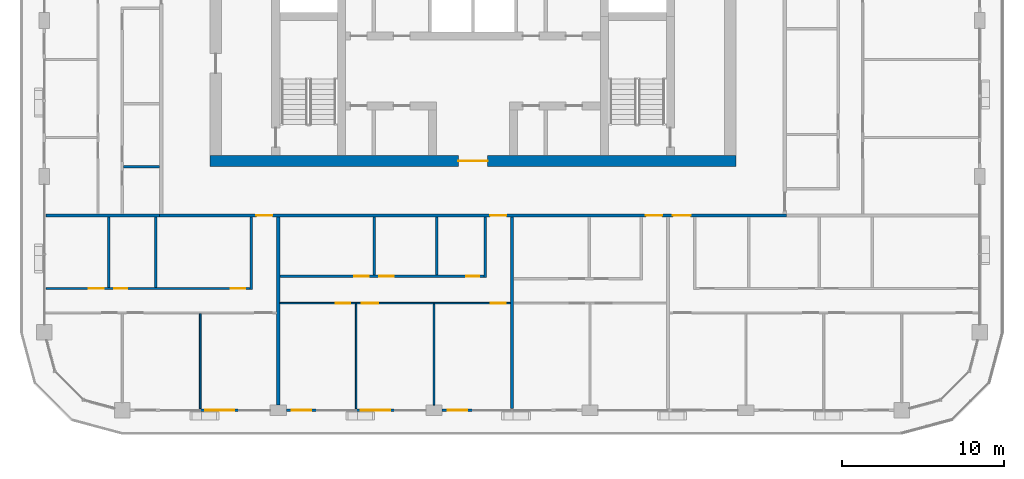
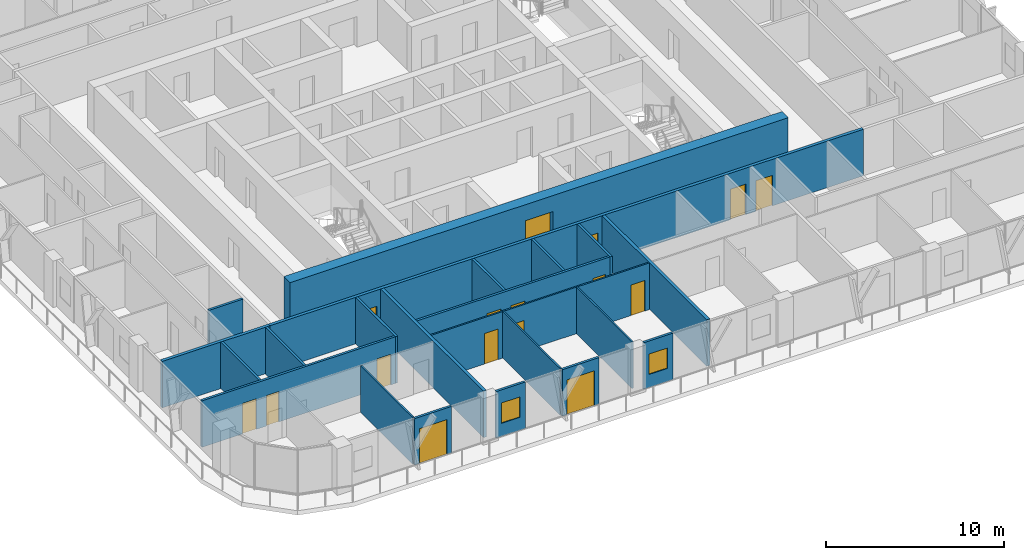
# One storey, part 9 of 22: 22 walls, 16 doors, 2 windows, 18 openings.
"""IFC4 building model written with IfcOpenShell, lengths in metres."""

import ifcopenshell
import ifcopenshell.guid

model = None  # the IFC model being written
_history = None  # IfcOwnerHistory: only IFC2X3 demands one
_inside = {}  # id of a spatial element -> (the spatial element, [elements in it])
_under = {}  # id of a project, library or spatial element -> (it, [spatial elements below it])
_declared = {}  # id of a project -> (the project, [libraries it declares])
_typed = {}  # id of a type object -> (the type object, [elements of that type])
_made_of = {}  # id of a material, layer set ... -> (it, [elements and type objects made of it])


def new_model(schema):
    """Start an empty IFC model of exactly this schema.

    Asked for "IFC4X3", IfcOpenShell would pick the latest addendum, in which some entities
    have other attributes; the version numbers below select the first issue.
    IFC2X3 requires an IfcOwnerHistory on every rooted entity: one is made here for all.
    """
    global model, _history
    if schema == "IFC4X3":
        model = ifcopenshell.file(schema_version=(4, 3, 0, 0))
    else:
        model = ifcopenshell.file(schema=schema)
    _inside.clear()
    _under.clear()
    _declared.clear()
    _typed.clear()
    _made_of.clear()
    _history = None
    if model.schema == "IFC2X3":
        org = make("IfcOrganization", Name="unknown")
        user = make(
            "IfcPersonAndOrganization",
            ThePerson=make("IfcPerson", FamilyName="unknown"),
            TheOrganization=org,
        )
        app = make(
            "IfcApplication",
            ApplicationDeveloper=org,
            Version="unknown",
            ApplicationFullName="unknown",
            ApplicationIdentifier="unknown",
        )
        _history = make(
            "IfcOwnerHistory",
            OwningUser=user,
            OwningApplication=app,
            ChangeAction="ADDED",
            CreationDate=0,
        )
    return model


def make(cls, **values):
    """One entity of the class cls with the attributes given. An attribute that is None is left unset."""
    return model.create_entity(
        cls, **{name: value for name, value in values.items() if value is not None}
    )


def rooted(cls, **values):
    """An entity with a GlobalId (a new one), such as an element, a storey or a relation."""
    return make(cls, GlobalId=ifcopenshell.guid.new(), OwnerHistory=_history, **values)


def si_unit(unit_type, name, prefix=None):
    """IfcSIUnit, for example si_unit("LENGTHUNIT", "METRE", prefix="MILLI")."""
    return make("IfcSIUnit", UnitType=unit_type, Prefix=prefix, Name=name)


def assignment(units):
    """IfcUnitAssignment: the units of a project."""
    return None if units is None else make("IfcUnitAssignment", Units=units)


def point(xyz):
    """IfcCartesianPoint."""
    return None if xyz is None else make("IfcCartesianPoint", Coordinates=xyz)


def direction(xyz):
    """IfcDirection."""
    return None if xyz is None else make("IfcDirection", DirectionRatios=xyz)


def frame(location, z_axis=None, x_axis=None):
    """IfcAxis2Placement3D, a coordinate frame: its origin and axes. An axis left out is left unset."""
    return make(
        "IfcAxis2Placement3D",
        Location=point(location),
        Axis=direction(z_axis),
        RefDirection=direction(x_axis),
    )


def frame_2d(location, x_axis=None):
    """IfcAxis2Placement2D, a coordinate frame in the plane: its origin and x axis."""
    return make(
        "IfcAxis2Placement2D", Location=point(location), RefDirection=direction(x_axis)
    )


def origin():
    """The frame at (0, 0, 0) with its axes left unset."""
    return frame((0.0, 0.0, 0.0))


def place(relative_to, where):
    """IfcLocalPlacement: puts the frame where relative to a parent placement (None: the world)."""
    return make(
        "IfcLocalPlacement", PlacementRelTo=relative_to, RelativePlacement=where
    )


def context(
    kind, dimensions, precision=None, world=None, true_north=None, identifier=None
):
    """IfcGeometricRepresentationContext, for example the 3D "Model" context."""
    return make(
        "IfcGeometricRepresentationContext",
        ContextIdentifier=identifier,
        ContextType=kind,
        CoordinateSpaceDimension=dimensions,
        Precision=precision,
        WorldCoordinateSystem=world,
        TrueNorth=true_north,
    )


def subcontext(parent, identifier, kind, view, scale=None):
    """IfcGeometricRepresentationSubContext, for example "Body" below "Model"."""
    return make(
        "IfcGeometricRepresentationSubContext",
        ContextIdentifier=identifier,
        ContextType=kind,
        ParentContext=parent,
        TargetScale=scale,
        TargetView=view,
    )


def project(units=None, contexts=None):
    """IfcProject with its units and contexts."""
    return rooted(
        "IfcProject",
        Name="project",
        RepresentationContexts=contexts,
        UnitsInContext=assignment(units),
    )


def spatial(cls, under=None, at=None, **own):
    """A site, building, storey or space (cls), placed at a placement, below another one or the project."""
    s = rooted(cls, ObjectPlacement=at, **own)
    if under is not None:
        _under.setdefault(under.id(), (under, []))[1].append(s)
    return s


def profile(cls, at=None, kind="AREA", **sizes):
    """A parametric profile (cls). Its sizes go by their IFC names, for example OverallWidth=200.0."""
    return make(cls, ProfileType=kind, Position=at, **sizes)


def rectangle(**sizes):
    """IfcRectangleProfileDef."""
    return profile("IfcRectangleProfileDef", **sizes)


def extrude(swept, where, along, depth):
    """IfcExtrudedAreaSolid: the profile swept, set in the frame where, extruded along a direction by depth."""
    return make(
        "IfcExtrudedAreaSolid",
        SweptArea=swept,
        Position=where,
        ExtrudedDirection=direction(along),
        Depth=depth,
    )


def shape(context_of_items, identifier, shape_type, items):
    """IfcShapeRepresentation: the items that make up one representation, for example the "Body"."""
    return make(
        "IfcShapeRepresentation",
        ContextOfItems=context_of_items,
        RepresentationIdentifier=identifier,
        RepresentationType=shape_type,
        Items=items,
    )


def material(Name=None, Category=None):
    """IfcMaterial."""
    return make("IfcMaterial", Name=Name, Category=Category)


def layer(
    of_material, thickness, ventilated=None, Name=None, Category=None, Priority=None
):
    """IfcMaterialLayer: one layer of a wall or slab, of a material (None: an air gap)."""
    return make(
        "IfcMaterialLayer",
        Material=of_material,
        LayerThickness=thickness,
        IsVentilated=ventilated,
        Name=Name,
        Category=Category,
        Priority=Priority,
    )


def layer_set(layers, Name=None):
    """IfcMaterialLayerSet."""
    return make("IfcMaterialLayerSet", MaterialLayers=layers, LayerSetName=Name)


def made_of(thing, what):
    """Note that an element or type object is made of a material, layer set ...; save() writes the relation."""
    if what is not None:
        _made_of.setdefault(what.id(), (what, []))[1].append(thing)
    return thing


def type_object(cls, material=None, **own):
    """A type object (cls), such as IfcWallType, which elements share."""
    return made_of(rooted(cls, **own), material)


def element(
    cls,
    number,
    at=None,
    inside=None,
    cuts=None,
    type_object=None,
    material=None,
    context=None,
    identifier="Body",
    shape_type=None,
    held_by="IfcProductDefinitionShape",
    body=None,
    shapes=None,
    **own,
):
    """One element of the class cls, such as IfcWall. Its Tag is "e" and its number.

    at: its placement. inside: the storey or other place that contains it. cuts: it is an
    opening in that element (IfcRelVoidsElement). A single representation is given by context,
    identifier, shape_type and body (its items); several are given by shapes. held_by: the class
    of the entity that holds the representations. save() writes the other relations.
    """
    e = rooted(cls, Tag="e%d" % number, ObjectPlacement=at, **own)
    if body is not None:
        shapes = [shape(context, identifier, shape_type, body)]
    if shapes is not None:
        e.Representation = make(held_by, Representations=shapes)
    if inside is not None:
        _inside.setdefault(inside.id(), (inside, []))[1].append(e)
    if cuts is not None:
        rooted(
            "IfcRelVoidsElement", RelatingBuildingElement=cuts, RelatedOpeningElement=e
        )
    if type_object is not None:
        _typed.setdefault(type_object.id(), (type_object, []))[1].append(e)
    return made_of(e, material)


def fill(opening, filler):
    """IfcRelFillsElement: the door or window that sits in an opening."""
    return rooted(
        "IfcRelFillsElement",
        RelatingOpeningElement=opening,
        RelatedBuildingElement=filler,
    )


def aggregate(whole, parts):
    """IfcRelAggregates: a whole, such as a stair, and the parts it consists of."""
    return rooted("IfcRelAggregates", RelatingObject=whole, RelatedObjects=parts)


def save(model, path):
    """Write the relations noted so far, then the file.

    IfcRelAggregates (storeys below a building ...), IfcRelContainedInSpatialStructure (elements
    in a storey), IfcRelDefinesByType, IfcRelAssociatesMaterial and IfcRelDeclares: one each for
    every whole, place, type object, material and project.
    """
    for whole, parts in _under.values():
        aggregate(whole, parts)
    for where, things in _inside.values():
        rooted(
            "IfcRelContainedInSpatialStructure",
            RelatedElements=things,
            RelatingStructure=where,
        )
    for kind, things in _typed.values():
        rooted("IfcRelDefinesByType", RelatedObjects=things, RelatingType=kind)
    for what, things in _made_of.values():
        rooted("IfcRelAssociatesMaterial", RelatedObjects=things, RelatingMaterial=what)
    for by, libraries in _declared.values():
        rooted("IfcRelDeclares", RelatingContext=by, RelatedDefinitions=libraries)
    model.write(path)


model = new_model("IFC4")

# Units and contexts
model_context = context("Model", 3, precision=1e-05, world=origin(), true_north=direction((0.0, 1.0)))
body_context = subcontext(model_context, "Body", "Model", "MODEL_VIEW")
ifc_project = project(units=[si_unit("LENGTHUNIT", "METRE"), si_unit("AREAUNIT", "SQUARE_METRE"), si_unit("VOLUMEUNIT", "CUBIC_METRE"), si_unit("PLANEANGLEUNIT", "RADIAN"), si_unit("MASSUNIT", "GRAM", prefix="KILO")], contexts=[model_context])

# Site, building, storey
site_placement = place(None, origin())
site = spatial("IfcSite", under=ifc_project, at=site_placement, CompositionType="ELEMENT")
building_placement = place(site_placement, origin())
building = spatial("IfcBuilding", under=site, at=building_placement, Name="Madar Terraces", CompositionType="ELEMENT")
storey_placement = place(building_placement, frame((0.0, 0.0, 178.89990234375)))
storey = spatial("IfcBuildingStorey", under=building, at=storey_placement, Name="L46", CompositionType="ELEMENT", Elevation=178.89990234375)

# Wall, opening, door
ifc_material_1 = material(Name="Concrete C60/75", Category="concrete")
ifc_layer_1 = layer(ifc_material_1, 0.699951171875)
ifc_layer_set_1 = layer_set([ifc_layer_1], Name="Concrete C60/75 (CRW4 RC wall 700)")
wall_type_1 = type_object("IfcWallType", Name="CRW4 RC wall 700", PredefinedType="SHEAR", material=ifc_layer_set_1)
wall_1_placement = place(storey_placement, frame((15.0, 15.35009765625, 0.0), z_axis=(0.0, 0.0, 1.0), x_axis=(1.0, 0.0, 0.0)))
wall_1 = element("IfcWall", 1, at=wall_1_placement, inside=storey, type_object=wall_type_1, Name="CORE OUTER WALL", PredefinedType="SHEAR", context=body_context, shape_type="SweptSolid", body=[
    extrude(rectangle(XDim=32.39990234375, YDim=0.699951171875, at=frame_2d((16.199951171875, 0.0))), origin(), (0.0, 0.0, 1.0), 3.2001953125),
])
opening_1_placement = place(wall_1_placement, frame((15.300048828125, 0.0, 0.0)))
opening_1 = element("IfcOpeningElement", 2, at=opening_1_placement, cuts=wall_1, Name="Opening KD1", PredefinedType="OPENING", context=body_context, shape_type="SweptSolid", body=[
    extrude(rectangle(XDim=1.800048828125, YDim=2.10009765625, at=frame_2d((0.89990234375, 1.050048828125))), frame((0.0, 0.35986328125, 0.0), z_axis=(0.0, -1.0, 0.0), x_axis=(1.0, 0.0, 0.0)), (0.0, 0.0, 1.0), 0.719970703125),
])
ifc_material_2 = material(Name="Steel door leaf", Category="steel")
door_type_1 = type_object("IfcDoorType", Name="Lobby door pair 1800 x 2100", OperationType="DOUBLE_DOOR_SINGLE_SWING", PredefinedType="DOOR", material=ifc_material_2)
door_1_placement = place(opening_1_placement, frame((1.800048828125, 0.0, 0.0), z_axis=(0.0, 0.0, 1.0), x_axis=(-1.0, 0.0, 0.0)))
door_1 = element("IfcDoor", 3, at=door_1_placement, inside=storey, type_object=door_type_1, Name="LIFT LOBBY DOOR", OperationType="DOUBLE_DOOR_SINGLE_SWING", OverallHeight=2.10009765625, OverallWidth=1.800048828125, PredefinedType="DOOR", context=body_context, shape_type="SweptSolid", body=[
    extrude(rectangle(XDim=1.800048828125, YDim=2.10009765625, at=frame_2d((0.89990234375, 1.050048828125))), frame((0.0, 0.02490234375, 0.0), z_axis=(0.0, -1.0, 0.0), x_axis=(1.0, 0.0, 0.0)), (0.0, 0.0, 1.0), 0.050048828125),
])
fill(opening_1, door_1)

ifc_material_3 = material(Name="Aluminium composite panel, black, over insulated backing", Category="aluminium")
ifc_layer_2 = layer(ifc_material_3, 0.14990234375)
ifc_layer_set_2 = layer_set([ifc_layer_2], Name="Facade bay panel 150")
wall_type_2 = type_object("IfcWallType", Name="Facade bay panel 150", PredefinedType="SOLIDWALL", material=ifc_layer_set_2)
wall_2_placement = place(storey_placement, frame((14.39990234375, 0.0, 0.0), z_axis=(0.0, 0.0, 1.0), x_axis=(1.0, 0.0, 0.0)))
wall_2 = element("IfcWall", 4, at=wall_2_placement, inside=storey, type_object=wall_type_2, Name="Facade bay panel", PredefinedType="SOLIDWALL", context=body_context, shape_type="SweptSolid", body=[
    extrude(rectangle(XDim=2.400146484375, YDim=0.14990234375, at=frame_2d((1.2001953125, 0.0))), origin(), (0.0, 0.0, 1.0), 3.2001953125),
])
opening_2_placement = place(wall_2_placement, frame((0.300048828125, 0.0, 0.0)))
opening_2 = element("IfcOpeningElement", 5, at=opening_2_placement, cuts=wall_2, Name="Opening ED1", PredefinedType="OPENING", context=body_context, shape_type="SweptSolid", body=[
    extrude(rectangle(XDim=1.800048828125, YDim=2.39990234375, at=frame_2d((0.89990234375, 1.199951171875))), frame((0.0, 0.0849609375, 0.0), z_axis=(0.0, -1.0, 0.0), x_axis=(1.0, 0.0, 0.0)), (0.0, 0.0, 1.0), 0.169921875),
])
ifc_material_4 = material(Name="Glass, clear, with black aluminium frame", Category="aluminium")
door_type_2 = type_object("IfcDoorType", Name="Balcony and terrace sliding door 1800 x 2400", OperationType="SLIDING_TO_LEFT", PredefinedType="DOOR", material=ifc_material_4)
door_2_placement = place(opening_2_placement, origin())
door_2 = element("IfcDoor", 6, at=door_2_placement, inside=storey, type_object=door_type_2, Name="Balcony door", OperationType="SLIDING_TO_LEFT", OverallHeight=2.39990234375, OverallWidth=1.800048828125, PredefinedType="DOOR", context=body_context, shape_type="SweptSolid", body=[
    extrude(rectangle(XDim=1.800048828125, YDim=2.39990234375, at=frame_2d((0.89990234375, 1.199951171875))), frame((0.0, 0.02490234375, 0.0), z_axis=(0.0, -1.0, 0.0), x_axis=(1.0, 0.0, 0.0)), (0.0, 0.0, 1.0), 0.050048828125),
])
fill(opening_2, door_2)

# Wall, opening, window
wall_3_placement = place(storey_placement, frame((19.699951171875, 0.0, 0.0), z_axis=(0.0, 0.0, 1.0), x_axis=(1.0, 0.0, 0.0)))
wall_3 = element("IfcWall", 7, at=wall_3_placement, inside=storey, type_object=wall_type_2, Name="Facade bay panel", PredefinedType="SOLIDWALL", context=body_context, shape_type="SweptSolid", body=[
    extrude(rectangle(XDim=1.900146484375, YDim=0.14990234375, at=frame_2d((0.9501953125, 0.0))), origin(), (0.0, 0.0, 1.0), 3.2001953125),
])
opening_3_placement = place(wall_3_placement, frame((0.35009765625, 0.0, 0.89990234375)))
opening_3 = element("IfcOpeningElement", 8, at=opening_3_placement, cuts=wall_3, Name="Opening W1", PredefinedType="OPENING", context=body_context, shape_type="SweptSolid", body=[
    extrude(rectangle(XDim=1.199951171875, YDim=1.39990234375, at=frame_2d((0.60009765625, 0.699951171875))), frame((0.0, 0.0849609375, 0.0), z_axis=(0.0, -1.0, 0.0), x_axis=(1.0, 0.0, 0.0)), (0.0, 0.0, 1.0), 0.169921875),
])
ifc_material_5 = material(Name="Glass, clear, with black aluminium frame", Category="aluminium")
window_type = type_object("IfcWindowType", Name="Vent window 1200 x 1400", PartitioningType="SINGLE_PANEL", PredefinedType="WINDOW", material=ifc_material_5)
window_1_placement = place(opening_3_placement, origin())
window_1 = element("IfcWindow", 9, at=window_1_placement, inside=storey, type_object=window_type, Name="Operable vent window", OverallHeight=1.39990234375, OverallWidth=1.199951171875, PartitioningType="SINGLE_PANEL", PredefinedType="WINDOW", context=body_context, shape_type="SweptSolid", body=[
    extrude(rectangle(XDim=1.199951171875, YDim=1.39990234375, at=frame_2d((0.60009765625, 0.699951171875))), frame((0.0, 0.030029296875, 0.0), z_axis=(0.0, -1.0, 0.0), x_axis=(1.0, 0.0, 0.0)), (0.0, 0.0, 1.0), 0.06005859375),
])
fill(opening_3, window_1)

# Wall, opening, door
wall_4_placement = place(storey_placement, frame((24.0, 0.0, 0.0), z_axis=(0.0, 0.0, 1.0), x_axis=(1.0, 0.0, 0.0)))
wall_4 = element("IfcWall", 10, at=wall_4_placement, inside=storey, type_object=wall_type_2, Name="Facade bay panel", PredefinedType="SOLIDWALL", context=body_context, shape_type="SweptSolid", body=[
    extrude(rectangle(XDim=2.39990234375, YDim=0.14990234375, at=frame_2d((1.199951171875, 0.0))), origin(), (0.0, 0.0, 1.0), 3.2001953125),
])
opening_4_placement = place(wall_4_placement, frame((0.300048828125, 0.0, 0.0)))
opening_4 = element("IfcOpeningElement", 11, at=opening_4_placement, cuts=wall_4, Name="Opening ED1", PredefinedType="OPENING", context=body_context, shape_type="SweptSolid", body=[
    extrude(rectangle(XDim=1.800048828125, YDim=2.39990234375, at=frame_2d((0.89990234375, 1.199951171875))), frame((0.0, 0.0849609375, 0.0), z_axis=(0.0, -1.0, 0.0), x_axis=(1.0, 0.0, 0.0)), (0.0, 0.0, 1.0), 0.169921875),
])
door_3_placement = place(opening_4_placement, origin())
door_3 = element("IfcDoor", 12, at=door_3_placement, inside=storey, type_object=door_type_2, Name="Balcony door", OperationType="SLIDING_TO_RIGHT", OverallHeight=2.39990234375, OverallWidth=1.800048828125, PredefinedType="DOOR", context=body_context, shape_type="SweptSolid", body=[
    extrude(rectangle(XDim=1.800048828125, YDim=2.39990234375, at=frame_2d((0.89990234375, 1.199951171875))), frame((0.0, 0.02490234375, 0.0), z_axis=(0.0, -1.0, 0.0), x_axis=(1.0, 0.0, 0.0)), (0.0, 0.0, 1.0), 0.050048828125),
])
fill(opening_4, door_3)

# Wall, opening, window
wall_5_placement = place(storey_placement, frame((29.300048828125, 0.0, 0.0), z_axis=(0.0, 0.0, 1.0), x_axis=(1.0, 0.0, 0.0)))
wall_5 = element("IfcWall", 13, at=wall_5_placement, inside=storey, type_object=wall_type_2, Name="Facade bay panel", PredefinedType="SOLIDWALL", context=body_context, shape_type="SweptSolid", body=[
    extrude(rectangle(XDim=1.89990234375, YDim=0.14990234375, at=frame_2d((0.949951171875, 0.0))), origin(), (0.0, 0.0, 1.0), 3.2001953125),
])
opening_5_placement = place(wall_5_placement, frame((0.35009765625, 0.0, 0.89990234375)))
opening_5 = element("IfcOpeningElement", 14, at=opening_5_placement, cuts=wall_5, Name="Opening W1", PredefinedType="OPENING", context=body_context, shape_type="SweptSolid", body=[
    extrude(rectangle(XDim=1.199951171875, YDim=1.39990234375, at=frame_2d((0.60009765625, 0.699951171875))), frame((0.0, 0.0849609375, 0.0), z_axis=(0.0, -1.0, 0.0), x_axis=(1.0, 0.0, 0.0)), (0.0, 0.0, 1.0), 0.169921875),
])
window_2_placement = place(opening_5_placement, origin())
window_2 = element("IfcWindow", 15, at=window_2_placement, inside=storey, type_object=window_type, Name="Operable vent window", OverallHeight=1.39990234375, OverallWidth=1.199951171875, PartitioningType="SINGLE_PANEL", PredefinedType="WINDOW", context=body_context, shape_type="SweptSolid", body=[
    extrude(rectangle(XDim=1.199951171875, YDim=1.39990234375, at=frame_2d((0.60009765625, 0.699951171875))), frame((0.0, 0.030029296875, 0.0), z_axis=(0.0, -1.0, 0.0), x_axis=(1.0, 0.0, 0.0)), (0.0, 0.0, 1.0), 0.06005859375),
])
fill(opening_5, window_2)

# Walls
ifc_material_6 = material(Name="Gypsum board on steel studs", Category="steel")
ifc_layer_3 = layer(ifc_material_6, 0.10009765625)
ifc_layer_set_3 = layer_set([ifc_layer_3], Name="Flat partition 100")
wall_type_3 = type_object("IfcWallType", Name="Flat partition 100", PredefinedType="PARTITIONING", material=ifc_layer_set_3)
wall_6_placement = place(storey_placement, frame((14.39990234375, 5.949951171875, 0.0), z_axis=(0.0, 0.0, 1.0), x_axis=(0.0, -1.0, 0.0)))
element("IfcWall", 16, at=wall_6_placement, inside=storey, type_object=wall_type_3, Name="Flat partition 100", PredefinedType="PARTITIONING", context=body_context, shape_type="SweptSolid", body=[
    extrude(rectangle(XDim=5.849853515625, YDim=0.10009765625, at=frame_2d((2.9248046875, 0.0))), origin(), (0.0, 0.0, 1.0), 3.2001953125),
])
wall_7_placement = place(storey_placement, frame((28.800048828125, 6.550048828125, 0.0), z_axis=(0.0, 0.0, 1.0), x_axis=(0.0, -1.0, 0.0)))
element("IfcWall", 17, at=wall_7_placement, inside=storey, type_object=wall_type_3, Name="Flat partition 100", PredefinedType="PARTITIONING", context=body_context, shape_type="SweptSolid", body=[
    extrude(rectangle(XDim=6.22509765625, YDim=0.10009765625, at=frame_2d((3.112548828125, 0.0))), origin(), (0.0, 0.0, 1.0), 3.2001953125),
])
wall_8_placement = place(storey_placement, frame((24.0, 6.550048828125, 0.0), z_axis=(0.0, 0.0, 1.0), x_axis=(0.0, -1.0, 0.0)))
element("IfcWall", 18, at=wall_8_placement, inside=storey, type_object=wall_type_3, Name="Flat partition 100", PredefinedType="PARTITIONING", context=body_context, shape_type="SweptSolid", body=[
    extrude(rectangle(XDim=6.449951171875, YDim=0.10009765625, at=frame_2d((3.22509765625, 0.0))), origin(), (0.0, 0.0, 1.0), 3.2001953125),
])

# Wall, openings, doors
wall_9_placement = place(storey_placement, frame((33.5, 6.60009765625, 0.0), z_axis=(0.0, 0.0, 1.0), x_axis=(-1.0, 0.0, 0.0)))
wall_9 = element("IfcWall", 19, at=wall_9_placement, inside=storey, type_object=wall_type_3, Name="Flat partition 100", PredefinedType="PARTITIONING", context=body_context, shape_type="SweptSolid", body=[
    extrude(rectangle(XDim=14.199951171875, YDim=0.10009765625, at=frame_2d((7.10009765625, 0.0))), origin(), (0.0, 0.0, 1.0), 3.2001953125),
])
opening_6_placement = place(wall_9_placement, frame((0.300048828125, 0.0, 0.0)))
opening_6 = element("IfcOpeningElement", 20, at=opening_6_placement, cuts=wall_9, Name="Opening D2", PredefinedType="OPENING", context=body_context, shape_type="SweptSolid", body=[
    extrude(rectangle(XDim=0.89990234375, YDim=2.10009765625, at=frame_2d((0.449951171875, 1.050048828125))), frame((0.0, 0.06005859375, 0.0), z_axis=(0.0, -1.0, 0.0), x_axis=(1.0, 0.0, 0.0)), (0.0, 0.0, 1.0), 0.1201171875),
])
opening_7_placement = place(wall_9_placement, frame((8.14990234375, 0.0, 0.0)))
opening_7 = element("IfcOpeningElement", 21, at=opening_7_placement, cuts=wall_9, Name="Opening D3", PredefinedType="OPENING", context=body_context, shape_type="SweptSolid", body=[
    extrude(rectangle(XDim=1.0, YDim=2.10009765625, at=frame_2d((0.5, 1.050048828125))), frame((0.0, 0.06005859375, 0.0), z_axis=(0.0, -1.0, 0.0), x_axis=(1.0, 0.0, 0.0)), (0.0, 0.0, 1.0), 0.1201171875),
])
opening_8_placement = place(wall_9_placement, frame((9.85009765625, 0.0, 0.0)))
opening_8 = element("IfcOpeningElement", 22, at=opening_8_placement, cuts=wall_9, Name="Opening D2", PredefinedType="OPENING", context=body_context, shape_type="SweptSolid", body=[
    extrude(rectangle(XDim=0.89990234375, YDim=2.10009765625, at=frame_2d((0.449951171875, 1.050048828125))), frame((0.0, 0.06005859375, 0.0), z_axis=(0.0, -1.0, 0.0), x_axis=(1.0, 0.0, 0.0)), (0.0, 0.0, 1.0), 0.1201171875),
])
ifc_material_7 = material(Name="Timber door leaf", Category="wood")
door_type_3 = type_object("IfcDoorType", Name="Flat living room door 1000", OperationType="NOTDEFINED", PredefinedType="DOOR", material=ifc_material_7)
door_4_placement = place(opening_7_placement, origin())
door_4 = element("IfcDoor", 23, at=door_4_placement, inside=storey, type_object=door_type_3, Name="Flat living room door 1000", OperationType="SINGLE_SWING_RIGHT", OverallHeight=2.10009765625, OverallWidth=1.0, PredefinedType="DOOR", context=body_context, shape_type="SweptSolid", body=[
    extrude(rectangle(XDim=1.0, YDim=2.10009765625, at=frame_2d((0.5, 1.050048828125))), frame((0.0, 0.02490234375, 0.0), z_axis=(0.0, -1.0, 0.0), x_axis=(1.0, 0.0, 0.0)), (0.0, 0.0, 1.0), 0.050048828125),
])
fill(opening_7, door_4)
ifc_material_8 = material(Name="Timber door leaf", Category="wood")
door_type_4 = type_object("IfcDoorType", Name="Flat room door 900", OperationType="NOTDEFINED", PredefinedType="DOOR", material=ifc_material_8)
door_5_placement = place(opening_6_placement, origin())
door_5 = element("IfcDoor", 24, at=door_5_placement, inside=storey, type_object=door_type_4, Name="Flat room door 900", OperationType="SINGLE_SWING_LEFT", OverallHeight=2.10009765625, OverallWidth=0.89990234375, PredefinedType="DOOR", context=body_context, shape_type="SweptSolid", body=[
    extrude(rectangle(XDim=0.89990234375, YDim=2.10009765625, at=frame_2d((0.449951171875, 1.050048828125))), frame((0.0, 0.02490234375, 0.0), z_axis=(0.0, -1.0, 0.0), x_axis=(1.0, 0.0, 0.0)), (0.0, 0.0, 1.0), 0.050048828125),
])
fill(opening_6, door_5)
door_6_placement = place(opening_8_placement, origin())
door_6 = element("IfcDoor", 25, at=door_6_placement, inside=storey, type_object=door_type_4, Name="Flat room door 900", OperationType="SINGLE_SWING_LEFT", OverallHeight=2.10009765625, OverallWidth=0.89990234375, PredefinedType="DOOR", context=body_context, shape_type="SweptSolid", body=[
    extrude(rectangle(XDim=0.89990234375, YDim=2.10009765625, at=frame_2d((0.449951171875, 1.050048828125))), frame((0.0, 0.02490234375, 0.0), z_axis=(0.0, -1.0, 0.0), x_axis=(1.0, 0.0, 0.0)), (0.0, 0.0, 1.0), 0.050048828125),
])
fill(opening_8, door_6)

ifc_material_9 = material(Name="Lightweight blockwork", Category="masonry")
ifc_layer_4 = layer(ifc_material_9, 0.199951171875)
ifc_layer_set_4 = layer_set([ifc_layer_4], Name="Flat party and entrance wall 200")
wall_type_4 = type_object("IfcWallType", Name="Flat party and entrance wall 200", PredefinedType="PARTITIONING", material=ifc_layer_set_4)
wall_10_placement = place(storey_placement, frame((50.5, 12.0, 0.0), z_axis=(0.0, 0.0, 1.0), x_axis=(-1.0, 0.0, 0.0)))
wall_10 = element("IfcWall", 26, at=wall_10_placement, inside=storey, type_object=wall_type_4, Name="Flat party and entrance wall 200", PredefinedType="PARTITIONING", context=body_context, shape_type="SweptSolid", body=[
    extrude(rectangle(XDim=38.60009765625, YDim=0.199951171875, at=frame_2d((19.300048828125, 0.0))), origin(), (0.0, 0.0, 1.0), 3.2001953125),
])
opening_9_placement = place(wall_10_placement, frame((31.64990234375, 0.0, 0.0)))
opening_9 = element("IfcOpeningElement", 27, at=opening_9_placement, cuts=wall_10, Name="Opening D1", PredefinedType="OPENING", context=body_context, shape_type="SweptSolid", body=[
    extrude(rectangle(XDim=1.0, YDim=2.10009765625, at=frame_2d((0.5, 1.050048828125))), frame((0.0, 0.10986328125, 0.0), z_axis=(0.0, -1.0, 0.0), x_axis=(1.0, 0.0, 0.0)), (0.0, 0.0, 1.0), 0.219970703125),
])
opening_10_placement = place(wall_10_placement, frame((17.25, 0.0, 0.0)))
opening_10 = element("IfcOpeningElement", 28, at=opening_10_placement, cuts=wall_10, Name="Opening D1", PredefinedType="OPENING", context=body_context, shape_type="SweptSolid", body=[
    extrude(rectangle(XDim=1.0, YDim=2.10009765625, at=frame_2d((0.5, 1.050048828125))), frame((0.0, 0.10986328125, 0.0), z_axis=(0.0, -1.0, 0.0), x_axis=(1.0, 0.0, 0.0)), (0.0, 0.0, 1.0), 0.219970703125),
])
opening_11_placement = place(wall_10_placement, frame((7.64990234375, 0.0, 0.0)))
opening_11 = element("IfcOpeningElement", 29, at=opening_11_placement, cuts=wall_10, Name="Opening D1", PredefinedType="OPENING", context=body_context, shape_type="SweptSolid", body=[
    extrude(rectangle(XDim=1.0, YDim=2.10009765625, at=frame_2d((0.5, 1.050048828125))), frame((0.0, 0.10986328125, 0.0), z_axis=(0.0, -1.0, 0.0), x_axis=(1.0, 0.0, 0.0)), (0.0, 0.0, 1.0), 0.219970703125),
])
opening_12_placement = place(wall_10_placement, frame((5.89990234375, 0.0, 0.0)))
opening_12 = element("IfcOpeningElement", 30, at=opening_12_placement, cuts=wall_10, Name="Opening D6", PredefinedType="OPENING", context=body_context, shape_type="SweptSolid", body=[
    extrude(rectangle(XDim=1.10009765625, YDim=2.10009765625, at=frame_2d((0.550048828125, 1.050048828125))), frame((0.0, 0.10986328125, 0.0), z_axis=(0.0, -1.0, 0.0), x_axis=(1.0, 0.0, 0.0)), (0.0, 0.0, 1.0), 0.219970703125),
])
ifc_material_10 = material(Name="Timber fire door leaf", Category="wood")
door_type_5 = type_object("IfcDoorType", Name="Flat entrance door 1000 FD30S", OperationType="NOTDEFINED", PredefinedType="DOOR", material=ifc_material_10)
door_7_placement = place(opening_9_placement, origin())
door_7 = element("IfcDoor", 31, at=door_7_placement, inside=storey, type_object=door_type_5, Name="Flat entrance door 1000 FD30S", OperationType="SINGLE_SWING_LEFT", OverallHeight=2.10009765625, OverallWidth=1.0, PredefinedType="DOOR", context=body_context, shape_type="SweptSolid", body=[
    extrude(rectangle(XDim=1.0, YDim=2.10009765625, at=frame_2d((0.5, 1.050048828125))), frame((0.0, 0.02490234375, 0.0), z_axis=(0.0, -1.0, 0.0), x_axis=(1.0, 0.0, 0.0)), (0.0, 0.0, 1.0), 0.050048828125),
])
fill(opening_9, door_7)
door_8_placement = place(opening_10_placement, origin())
door_8 = element("IfcDoor", 32, at=door_8_placement, inside=storey, type_object=door_type_5, Name="Flat entrance door 1000 FD30S", OperationType="SINGLE_SWING_LEFT", OverallHeight=2.10009765625, OverallWidth=1.0, PredefinedType="DOOR", context=body_context, shape_type="SweptSolid", body=[
    extrude(rectangle(XDim=1.0, YDim=2.10009765625, at=frame_2d((0.5, 1.050048828125))), frame((0.0, 0.02490234375, 0.0), z_axis=(0.0, -1.0, 0.0), x_axis=(1.0, 0.0, 0.0)), (0.0, 0.0, 1.0), 0.050048828125),
])
fill(opening_10, door_8)
door_9_placement = place(opening_11_placement, origin())
door_9 = element("IfcDoor", 33, at=door_9_placement, inside=storey, type_object=door_type_5, Name="Flat entrance door 1000 FD30S", OperationType="SINGLE_SWING_LEFT", OverallHeight=2.10009765625, OverallWidth=1.0, PredefinedType="DOOR", context=body_context, shape_type="SweptSolid", body=[
    extrude(rectangle(XDim=1.0, YDim=2.10009765625, at=frame_2d((0.5, 1.050048828125))), frame((0.0, 0.02490234375, 0.0), z_axis=(0.0, -1.0, 0.0), x_axis=(1.0, 0.0, 0.0)), (0.0, 0.0, 1.0), 0.050048828125),
])
fill(opening_11, door_9)
ifc_material_11 = material(Name="Timber fire door leaf", Category="wood")
door_type_6 = type_object("IfcDoorType", Name="Flat entrance door 1100 FD30S", OperationType="NOTDEFINED", PredefinedType="DOOR", material=ifc_material_11)
door_10_placement = place(opening_12_placement, origin())
door_10 = element("IfcDoor", 34, at=door_10_placement, inside=storey, type_object=door_type_6, Name="Flat entrance door 1100 FD30S", OperationType="SINGLE_SWING_RIGHT", OverallHeight=2.10009765625, OverallWidth=1.10009765625, PredefinedType="DOOR", context=body_context, shape_type="SweptSolid", body=[
    extrude(rectangle(XDim=1.10009765625, YDim=2.10009765625, at=frame_2d((0.550048828125, 1.050048828125))), frame((0.0, 0.02490234375, 0.0), z_axis=(0.0, -1.0, 0.0), x_axis=(1.0, 0.0, 0.0)), (0.0, 0.0, 1.0), 0.050048828125),
])
fill(opening_12, door_10)

# Walls
wall_11_placement = place(storey_placement, frame((19.199951171875, 11.89990234375, 0.0), z_axis=(0.0, 0.0, 1.0), x_axis=(0.0, -1.0, 0.0)))
element("IfcWall", 35, at=wall_11_placement, inside=storey, type_object=wall_type_4, Name="Flat party and entrance wall 200", PredefinedType="PARTITIONING", context=body_context, shape_type="SweptSolid", body=[
    extrude(rectangle(XDim=11.574951171875, YDim=0.199951171875, at=frame_2d((5.78759765625, 0.0))), origin(), (0.0, 0.0, 1.0), 3.2001953125),
])
wall_12_placement = place(storey_placement, frame((4.89990234375, 12.0, 0.0), z_axis=(0.0, 0.0, 1.0), x_axis=(1.0, 0.0, 0.0)))
element("IfcWall", 36, at=wall_12_placement, inside=storey, type_object=wall_type_4, Name="Flat party and entrance wall 200", PredefinedType="PARTITIONING", context=body_context, shape_type="SweptSolid", body=[
    extrude(rectangle(XDim=7.0, YDim=0.199951171875, at=frame_2d((3.5, 0.0))), origin(), (0.0, 0.0, 1.0), 3.2001953125),
])
wall_13_placement = place(storey_placement, frame((33.60009765625, 11.89990234375, 0.0), z_axis=(0.0, 0.0, 1.0), x_axis=(0.0, -1.0, 0.0)))
element("IfcWall", 37, at=wall_13_placement, inside=storey, type_object=wall_type_4, Name="Flat party and entrance wall 200", PredefinedType="PARTITIONING", context=body_context, shape_type="SweptSolid", body=[
    extrude(rectangle(XDim=11.7998046875, YDim=0.199951171875, at=frame_2d((5.89990234375, 0.0))), origin(), (0.0, 0.0, 1.0), 3.2001953125),
])
ifc_material_12 = material(Name="Lightweight blockwork", Category="masonry")
ifc_layer_5 = layer(ifc_material_12, 0.14990234375)
ifc_layer_set_5 = layer_set([ifc_layer_5], Name="Flat wet-room partition 150")
wall_type_5 = type_object("IfcWallType", Name="Flat wet-room partition 150", PredefinedType="PARTITIONING", material=ifc_layer_set_5)
for number, where, z_axis, x_axis, name in (
    (38, (11.671142578125, 11.89990234375, 0.0), (0.0, 0.0, 1.0), (0.0, -1.0, 0.0), "Flat wet-room partition 150"),
    (39, (8.769287109375, 11.89990234375, 0.0), (0.0, 0.0, 1.0), (0.0, -1.0, 0.0), "Flat wet-room partition 150"),
):
    element("IfcWall", number, at=place(storey_placement, frame(where, z_axis=z_axis, x_axis=x_axis)), inside=storey, type_object=wall_type_5, Name=name, PredefinedType="PARTITIONING", context=body_context, shape_type="SweptSolid", body=[
        extrude(rectangle(XDim=4.324951171875, YDim=0.14990234375, at=frame_2d((2.16259765625, 0.0))), origin(), (0.0, 0.0, 1.0), 3.2001953125),
    ])
wall_14_placement = place(storey_placement, frame((17.550048828125, 11.89990234375, 0.0), z_axis=(0.0, 0.0, 1.0), x_axis=(0.0, -1.0, 0.0)))
element("IfcWall", 40, at=wall_14_placement, inside=storey, type_object=wall_type_5, Name="Flat wet-room partition 150", PredefinedType="PARTITIONING", context=body_context, shape_type="SweptSolid", body=[
    extrude(rectangle(XDim=4.474853515625, YDim=0.14990234375, at=frame_2d((2.2373046875, 0.0))), origin(), (0.0, 0.0, 1.0), 3.2001953125),
])

# Wall, openings, doors
wall_15_placement = place(storey_placement, frame((4.89990234375, 7.5, 0.0), z_axis=(0.0, 0.0, 1.0), x_axis=(1.0, 0.0, 0.0)))
wall_15 = element("IfcWall", 41, at=wall_15_placement, inside=storey, type_object=wall_type_5, Name="Flat wet-room partition 150", PredefinedType="PARTITIONING", context=body_context, shape_type="SweptSolid", body=[
    extrude(rectangle(XDim=12.5751953125, YDim=0.14990234375, at=frame_2d((6.28759765625, 0.0))), origin(), (0.0, 0.0, 1.0), 3.2001953125),
])
opening_13_placement = place(wall_15_placement, frame((11.375, 0.0, 0.0)))
opening_13 = element("IfcOpeningElement", 42, at=opening_13_placement, cuts=wall_15, Name="Opening D2", PredefinedType="OPENING", context=body_context, shape_type="SweptSolid", body=[
    extrude(rectangle(XDim=0.89990234375, YDim=2.10009765625, at=frame_2d((0.449951171875, 1.050048828125))), frame((0.0, 0.0849609375, 0.0), z_axis=(0.0, -1.0, 0.0), x_axis=(1.0, 0.0, 0.0)), (0.0, 0.0, 1.0), 0.169921875),
])
opening_14_placement = place(wall_15_placement, frame((4.1943359375, 0.0, 0.0)))
opening_14 = element("IfcOpeningElement", 43, at=opening_14_placement, cuts=wall_15, Name="Opening D4", PredefinedType="OPENING", context=body_context, shape_type="SweptSolid", body=[
    extrude(rectangle(XDim=0.800048828125, YDim=2.10009765625, at=frame_2d((0.39990234375, 1.050048828125))), frame((0.0, 0.0849609375, 0.0), z_axis=(0.0, -1.0, 0.0), x_axis=(1.0, 0.0, 0.0)), (0.0, 0.0, 1.0), 0.169921875),
])
opening_15_placement = place(wall_15_placement, frame((2.644287109375, 0.0, 0.0)))
opening_15 = element("IfcOpeningElement", 44, at=opening_15_placement, cuts=wall_15, Name="Opening D5", PredefinedType="OPENING", context=body_context, shape_type="SweptSolid", body=[
    extrude(rectangle(XDim=0.89990234375, YDim=2.10009765625, at=frame_2d((0.449951171875, 1.050048828125))), frame((0.0, 0.0849609375, 0.0), z_axis=(0.0, -1.0, 0.0), x_axis=(1.0, 0.0, 0.0)), (0.0, 0.0, 1.0), 0.169921875),
])
ifc_material_13 = material(Name="Timber door leaf", Category="wood")
door_type_7 = type_object("IfcDoorType", Name="Flat accessible bathroom door 900", OperationType="NOTDEFINED", PredefinedType="DOOR", material=ifc_material_13)
door_11_placement = place(opening_15_placement, origin())
door_11 = element("IfcDoor", 45, at=door_11_placement, inside=storey, type_object=door_type_7, Name="Flat accessible bathroom door 900", OperationType="SINGLE_SWING_RIGHT", OverallHeight=2.10009765625, OverallWidth=0.89990234375, PredefinedType="DOOR", context=body_context, shape_type="SweptSolid", body=[
    extrude(rectangle(XDim=0.89990234375, YDim=2.10009765625, at=frame_2d((0.449951171875, 1.050048828125))), frame((0.0, 0.02490234375, 0.0), z_axis=(0.0, -1.0, 0.0), x_axis=(1.0, 0.0, 0.0)), (0.0, 0.0, 1.0), 0.050048828125),
])
fill(opening_15, door_11)
ifc_material_14 = material(Name="Timber door leaf", Category="wood")
door_type_8 = type_object("IfcDoorType", Name="Flat bathroom door 800", OperationType="NOTDEFINED", PredefinedType="DOOR", material=ifc_material_14)
door_12_placement = place(opening_14_placement, origin())
door_12 = element("IfcDoor", 46, at=door_12_placement, inside=storey, type_object=door_type_8, Name="Flat bathroom door 800", OperationType="SINGLE_SWING_LEFT", OverallHeight=2.10009765625, OverallWidth=0.800048828125, PredefinedType="DOOR", context=body_context, shape_type="SweptSolid", body=[
    extrude(rectangle(XDim=0.800048828125, YDim=2.10009765625, at=frame_2d((0.39990234375, 1.050048828125))), frame((0.0, 0.02490234375, 0.0), z_axis=(0.0, -1.0, 0.0), x_axis=(1.0, 0.0, 0.0)), (0.0, 0.0, 1.0), 0.050048828125),
])
fill(opening_14, door_12)
door_13_placement = place(opening_13_placement, origin())
door_13 = element("IfcDoor", 47, at=door_13_placement, inside=storey, type_object=door_type_4, Name="Flat room door 900", OperationType="SINGLE_SWING_RIGHT", OverallHeight=2.10009765625, OverallWidth=0.89990234375, PredefinedType="DOOR", context=body_context, shape_type="SweptSolid", body=[
    extrude(rectangle(XDim=0.89990234375, YDim=2.10009765625, at=frame_2d((0.449951171875, 1.050048828125))), frame((0.0, 0.02490234375, 0.0), z_axis=(0.0, -1.0, 0.0), x_axis=(1.0, 0.0, 0.0)), (0.0, 0.0, 1.0), 0.050048828125),
])
fill(opening_13, door_13)

# Walls
for number, where, z_axis, x_axis, name in (
    (48, (28.97314453125, 11.89990234375, 0.0), (0.0, 0.0, 1.0), (0.0, -1.0, 0.0), "Flat wet-room partition 150"),
    (49, (25.10400390625, 11.89990234375, 0.0), (0.0, 0.0, 1.0), (0.0, -1.0, 0.0), "Flat wet-room partition 150"),
):
    element("IfcWall", number, at=place(storey_placement, frame(where, z_axis=z_axis, x_axis=x_axis)), inside=storey, type_object=wall_type_5, Name=name, PredefinedType="PARTITIONING", context=body_context, shape_type="SweptSolid", body=[
        extrude(rectangle(XDim=3.574951171875, YDim=0.14990234375, at=frame_2d((1.78759765625, 0.0))), origin(), (0.0, 0.0, 1.0), 3.2001953125),
    ])
wall_16_placement = place(storey_placement, frame((31.949951171875, 11.89990234375, 0.0), z_axis=(0.0, 0.0, 1.0), x_axis=(0.0, -1.0, 0.0)))
element("IfcWall", 50, at=wall_16_placement, inside=storey, type_object=wall_type_5, Name="Flat wet-room partition 150", PredefinedType="PARTITIONING", context=body_context, shape_type="SweptSolid", body=[
    extrude(rectangle(XDim=3.724853515625, YDim=0.14990234375, at=frame_2d((1.8623046875, 0.0))), origin(), (0.0, 0.0, 1.0), 3.2001953125),
])

# Wall, openings, doors
wall_17_placement = place(storey_placement, frame((19.300048828125, 8.25, 0.0), z_axis=(0.0, 0.0, 1.0), x_axis=(1.0, 0.0, 0.0)))
wall_17 = element("IfcWall", 51, at=wall_17_placement, inside=storey, type_object=wall_type_5, Name="Flat wet-room partition 150", PredefinedType="PARTITIONING", context=body_context, shape_type="SweptSolid", body=[
    extrude(rectangle(XDim=12.574951171875, YDim=0.14990234375, at=frame_2d((6.28759765625, 0.0))), origin(), (0.0, 0.0, 1.0), 3.2001953125),
])
opening_16_placement = place(wall_17_placement, frame((11.47509765625, 0.0, 0.0)))
opening_16 = element("IfcOpeningElement", 52, at=opening_16_placement, cuts=wall_17, Name="Opening D4", PredefinedType="OPENING", context=body_context, shape_type="SweptSolid", body=[
    extrude(rectangle(XDim=0.800048828125, YDim=2.10009765625, at=frame_2d((0.39990234375, 1.050048828125))), frame((0.0, 0.0849609375, 0.0), z_axis=(0.0, -1.0, 0.0), x_axis=(1.0, 0.0, 0.0)), (0.0, 0.0, 1.0), 0.169921875),
])
opening_17_placement = place(wall_17_placement, frame((6.12890625, 0.0, 0.0)))
opening_17 = element("IfcOpeningElement", 53, at=opening_17_placement, cuts=wall_17, Name="Opening D5", PredefinedType="OPENING", context=body_context, shape_type="SweptSolid", body=[
    extrude(rectangle(XDim=0.89990234375, YDim=2.10009765625, at=frame_2d((0.449951171875, 1.050048828125))), frame((0.0, 0.0849609375, 0.0), z_axis=(0.0, -1.0, 0.0), x_axis=(1.0, 0.0, 0.0)), (0.0, 0.0, 1.0), 0.169921875),
])
opening_18_placement = place(wall_17_placement, frame((4.578857421875, 0.0, 0.0)))
opening_18 = element("IfcOpeningElement", 54, at=opening_18_placement, cuts=wall_17, Name="Opening D2", PredefinedType="OPENING", context=body_context, shape_type="SweptSolid", body=[
    extrude(rectangle(XDim=0.89990234375, YDim=2.10009765625, at=frame_2d((0.449951171875, 1.050048828125))), frame((0.0, 0.0849609375, 0.0), z_axis=(0.0, -1.0, 0.0), x_axis=(1.0, 0.0, 0.0)), (0.0, 0.0, 1.0), 0.169921875),
])
door_14_placement = place(opening_17_placement, origin())
door_14 = element("IfcDoor", 55, at=door_14_placement, inside=storey, type_object=door_type_7, Name="Flat accessible bathroom door 900", OperationType="SINGLE_SWING_LEFT", OverallHeight=2.10009765625, OverallWidth=0.89990234375, PredefinedType="DOOR", context=body_context, shape_type="SweptSolid", body=[
    extrude(rectangle(XDim=0.89990234375, YDim=2.10009765625, at=frame_2d((0.449951171875, 1.050048828125))), frame((0.0, 0.02490234375, 0.0), z_axis=(0.0, -1.0, 0.0), x_axis=(1.0, 0.0, 0.0)), (0.0, 0.0, 1.0), 0.050048828125),
])
fill(opening_17, door_14)
door_15_placement = place(opening_16_placement, origin())
door_15 = element("IfcDoor", 56, at=door_15_placement, inside=storey, type_object=door_type_8, Name="Flat bathroom door 800", OperationType="SINGLE_SWING_RIGHT", OverallHeight=2.10009765625, OverallWidth=0.800048828125, PredefinedType="DOOR", context=body_context, shape_type="SweptSolid", body=[
    extrude(rectangle(XDim=0.800048828125, YDim=2.10009765625, at=frame_2d((0.39990234375, 1.050048828125))), frame((0.0, 0.02490234375, 0.0), z_axis=(0.0, -1.0, 0.0), x_axis=(1.0, 0.0, 0.0)), (0.0, 0.0, 1.0), 0.050048828125),
])
fill(opening_16, door_15)
door_16_placement = place(opening_18_placement, origin())
door_16 = element("IfcDoor", 57, at=door_16_placement, inside=storey, type_object=door_type_4, Name="Flat room door 900", OperationType="SINGLE_SWING_RIGHT", OverallHeight=2.10009765625, OverallWidth=0.89990234375, PredefinedType="DOOR", context=body_context, shape_type="SweptSolid", body=[
    extrude(rectangle(XDim=0.89990234375, YDim=2.10009765625, at=frame_2d((0.449951171875, 1.050048828125))), frame((0.0, 0.02490234375, 0.0), z_axis=(0.0, -1.0, 0.0), x_axis=(1.0, 0.0, 0.0)), (0.0, 0.0, 1.0), 0.050048828125),
])
fill(opening_18, door_16)

# Wall
wall_18_placement = place(storey_placement, frame((11.89990234375, 15.001953125, 0.0), z_axis=(0.0, 0.0, 1.0), x_axis=(-1.0, 0.0, 0.0)))
element("IfcWall", 58, at=wall_18_placement, inside=storey, type_object=wall_type_5, Name="Flat wet-room partition 150", PredefinedType="PARTITIONING", context=body_context, shape_type="SweptSolid", body=[
    extrude(rectangle(XDim=2.224853515625, YDim=0.14990234375, at=frame_2d((1.1123046875, 0.0))), origin(), (0.0, 0.0, 1.0), 3.2001953125),
])

save(model, "model.ifc")
